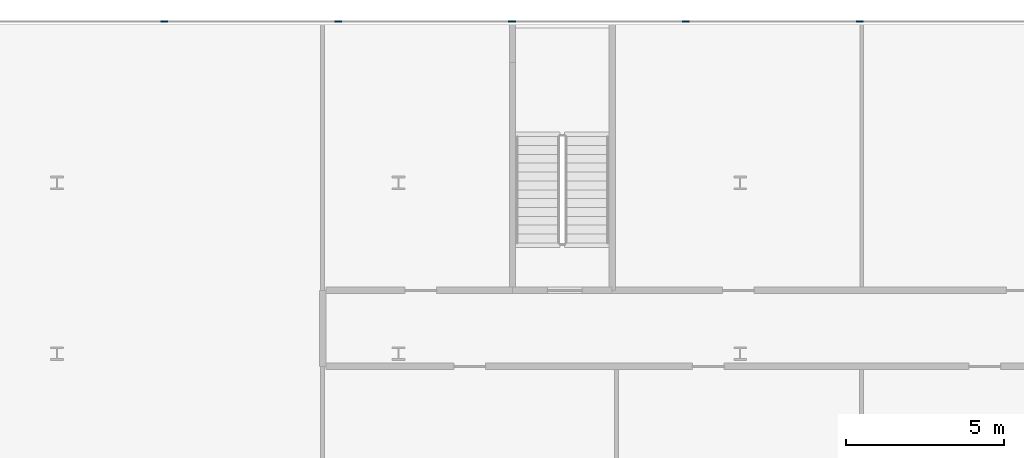
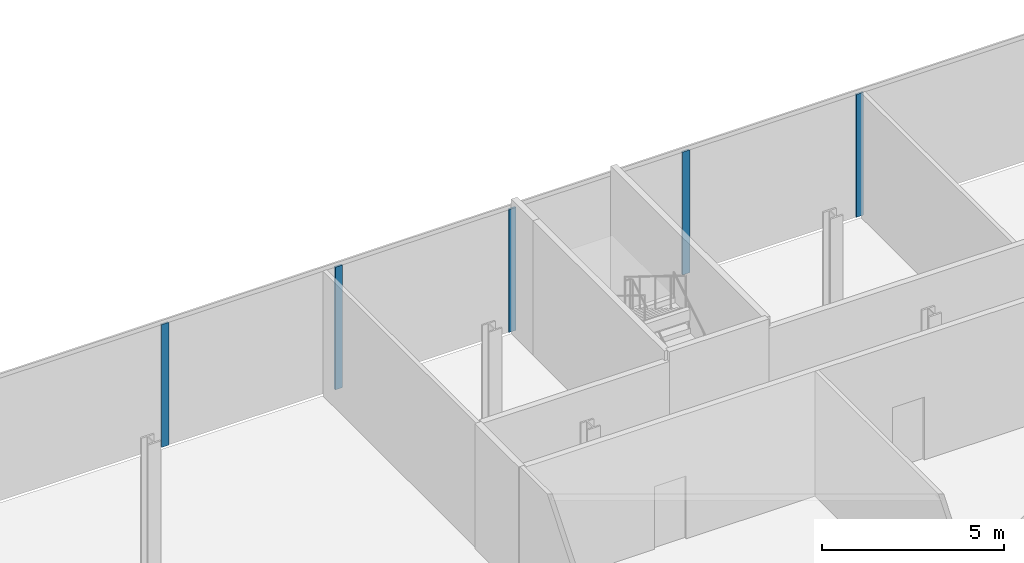
# One storey, part 18 of 47: 5 members, 1 element without a shape of its own.
"""IFC4 building model written with IfcOpenShell, lengths in metres."""

from ifc_helpers import new_model, si_unit, direction, frame, origin, origin_2d, place, context, subcontext, project, spatial, rectangle, extrude, material, layer, layer_set, material_profile, profile_set, type_object, element, aggregate, save


model = new_model("IFC4")

# Units and contexts
model_context = context("Model", 3, precision=1e-05, world=origin(), true_north=direction((0.0, 1.0)))
body_context = subcontext(model_context, "Body", "Model", "MODEL_VIEW")
ifc_project = project(units=[si_unit("LENGTHUNIT", "METRE"), si_unit("AREAUNIT", "SQUARE_METRE"), si_unit("VOLUMEUNIT", "CUBIC_METRE"), si_unit("PLANEANGLEUNIT", "RADIAN"), si_unit("MASSUNIT", "GRAM", prefix="KILO")], contexts=[model_context])

# Site, building, storey
site_placement = place(None, origin())
site = spatial("IfcSite", under=ifc_project, at=site_placement, CompositionType="ELEMENT")
building_placement = place(site_placement, origin())
building = spatial("IfcBuilding", under=site, at=building_placement, Name="Kheshtan School and Residences Tower", CompositionType="ELEMENT")
storey_placement = place(building_placement, frame((0.0, 0.0, 21.5)))
storey = spatial("IfcBuildingStorey", under=building, at=storey_placement, Name="L04", CompositionType="ELEMENT", Elevation=21.5)

# Curtain wall, members
ifc_material_1 = material(Name="Clear low-e glass in thermally broken aluminium frame", Category="aluminium")
ifc_layer = layer(ifc_material_1, 0.22509765625)
ifc_layer_set = layer_set([ifc_layer], Name="Curtain wall CW-P")
curtain_wall_type = type_object("IfcCurtainWallType", Name="Curtain wall CW-P", PredefinedType="NOTDEFINED", material=ifc_layer_set)
curtain_wall_placement = place(storey_placement, origin())
curtain_wall = element("IfcCurtainWall", 1, at=curtain_wall_placement, inside=storey, type_object=curtain_wall_type, Name="Curtain wall CWP4a", PredefinedType="NOTDEFINED")
ifc_material_2 = material(Name="Thermally broken aluminium, dark bronze anodised", Category="aluminium")
ifc_material_profile = material_profile(ifc_material_2, rectangle(XDim=0.06005859375, YDim=0.22509765625, at=origin_2d()), Name="CW-P mullion 60x225")
ifc_profile_set = profile_set([ifc_material_profile], Name="Thermally broken aluminium, dark bronze anodised")
member_type = type_object("IfcMemberType", Name="CW-P mullion 60x225", PredefinedType="MULLION", material=ifc_profile_set)
member_1_placement = place(storey_placement, frame((50.989013671875, 110.10009765625, 0.0), z_axis=(0.0, 0.0, 1.0), x_axis=(0.0, 1.0, 0.0)))
member_1 = element("IfcMember", 2, at=member_1_placement, type_object=member_type, Name="CWP4a mullion 7", PredefinedType="MULLION", context=body_context, shape_type="SweptSolid", body=[
    extrude(rectangle(XDim=0.06005859375, YDim=0.22509765625, at=origin_2d()), origin(), (0.0, 0.0, 1.0), 4.110107421875),
])
member_2_placement = place(storey_placement, frame((56.4873046875, 110.10009765625, 0.0), z_axis=(0.0, 0.0, 1.0), x_axis=(0.0, 1.0, 0.0)))
member_2 = element("IfcMember", 3, at=member_2_placement, type_object=member_type, Name="CWP4a mullion 8", PredefinedType="MULLION", context=body_context, shape_type="SweptSolid", body=[
    extrude(rectangle(XDim=0.06005859375, YDim=0.22509765625, at=origin_2d()), origin(), (0.0, 0.0, 1.0), 4.110107421875),
])
member_3_placement = place(storey_placement, frame((61.9853515625, 110.10009765625, 0.0), z_axis=(0.0, 0.0, 1.0), x_axis=(0.0, 1.0, 0.0)))
member_3 = element("IfcMember", 4, at=member_3_placement, type_object=member_type, Name="CWP4a mullion 9", PredefinedType="MULLION", context=body_context, shape_type="SweptSolid", body=[
    extrude(rectangle(XDim=0.06005859375, YDim=0.22509765625, at=origin_2d()), origin(), (0.0, 0.0, 1.0), 4.110107421875),
])
member_4_placement = place(storey_placement, frame((67.483642578125, 110.10009765625, 0.0), z_axis=(0.0, 0.0, 1.0), x_axis=(0.0, 1.0, 0.0)))
member_4 = element("IfcMember", 5, at=member_4_placement, type_object=member_type, Name="CWP4a mullion 10", PredefinedType="MULLION", context=body_context, shape_type="SweptSolid", body=[
    extrude(rectangle(XDim=0.06005859375, YDim=0.22509765625, at=origin_2d()), origin(), (0.0, 0.0, 1.0), 4.110107421875),
])
member_5_placement = place(storey_placement, frame((72.98193359375, 110.10009765625, 0.0), z_axis=(0.0, 0.0, 1.0), x_axis=(0.0, 1.0, 0.0)))
member_5 = element("IfcMember", 6, at=member_5_placement, type_object=member_type, Name="CWP4a mullion 11", PredefinedType="MULLION", context=body_context, shape_type="SweptSolid", body=[
    extrude(rectangle(XDim=0.06005859375, YDim=0.22509765625, at=origin_2d()), origin(), (0.0, 0.0, 1.0), 4.110107421875),
])
aggregate(curtain_wall, [member_1, member_2, member_3, member_4, member_5])

save(model, "model.ifc")
